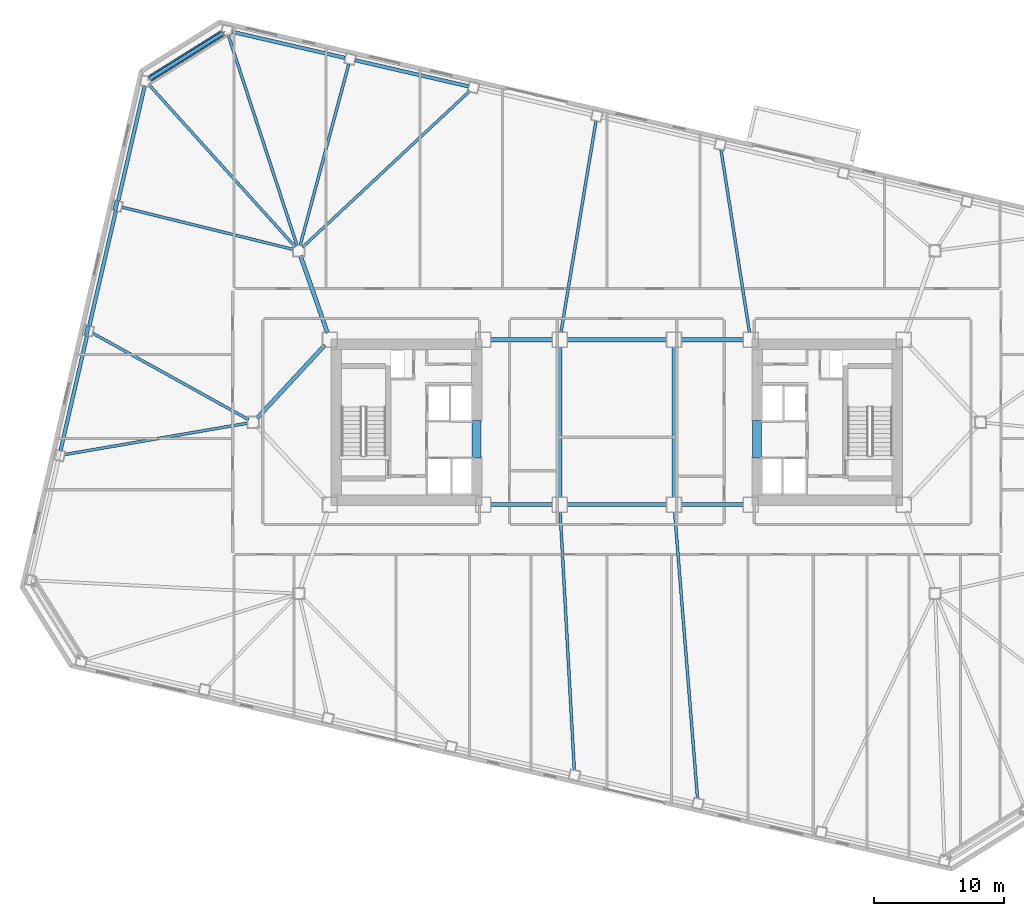
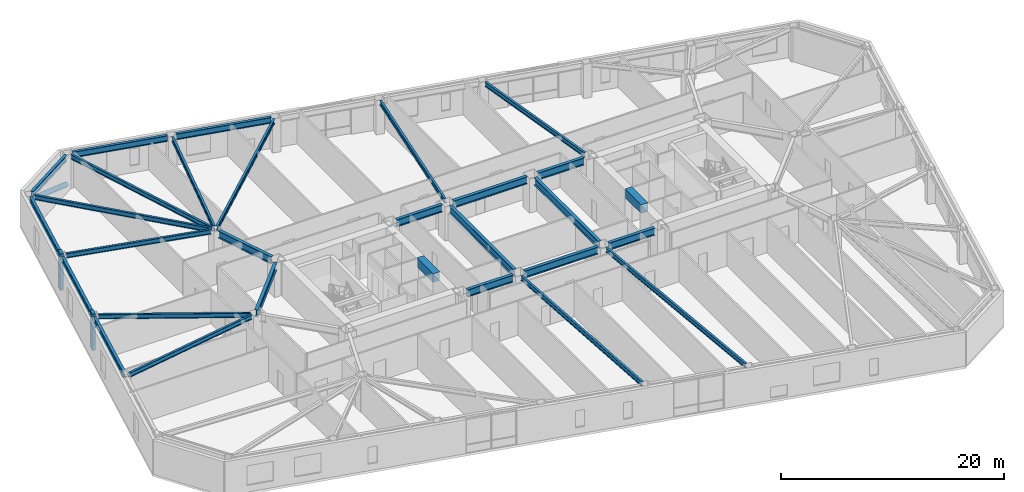
# One storey, part 5 of 19: 29 beams, 3 members.
"""IFC4 building model written with IfcOpenShell, lengths in metres."""

import ifcopenshell
import ifcopenshell.guid

model = None  # the IFC model being written
_history = None  # IfcOwnerHistory: only IFC2X3 demands one
_inside = {}  # id of a spatial element -> (the spatial element, [elements in it])
_under = {}  # id of a project, library or spatial element -> (it, [spatial elements below it])
_declared = {}  # id of a project -> (the project, [libraries it declares])
_typed = {}  # id of a type object -> (the type object, [elements of that type])
_made_of = {}  # id of a material, layer set ... -> (it, [elements and type objects made of it])


def new_model(schema):
    """Start an empty IFC model of exactly this schema.

    Asked for "IFC4X3", IfcOpenShell would pick the latest addendum, in which some entities
    have other attributes; the version numbers below select the first issue.
    IFC2X3 requires an IfcOwnerHistory on every rooted entity: one is made here for all.
    """
    global model, _history
    if schema == "IFC4X3":
        model = ifcopenshell.file(schema_version=(4, 3, 0, 0))
    else:
        model = ifcopenshell.file(schema=schema)
    _inside.clear()
    _under.clear()
    _declared.clear()
    _typed.clear()
    _made_of.clear()
    _history = None
    if model.schema == "IFC2X3":
        org = make("IfcOrganization", Name="unknown")
        user = make(
            "IfcPersonAndOrganization",
            ThePerson=make("IfcPerson", FamilyName="unknown"),
            TheOrganization=org,
        )
        app = make(
            "IfcApplication",
            ApplicationDeveloper=org,
            Version="unknown",
            ApplicationFullName="unknown",
            ApplicationIdentifier="unknown",
        )
        _history = make(
            "IfcOwnerHistory",
            OwningUser=user,
            OwningApplication=app,
            ChangeAction="ADDED",
            CreationDate=0,
        )
    return model


def make(cls, **values):
    """One entity of the class cls with the attributes given. An attribute that is None is left unset."""
    return model.create_entity(
        cls, **{name: value for name, value in values.items() if value is not None}
    )


def rooted(cls, **values):
    """An entity with a GlobalId (a new one), such as an element, a storey or a relation."""
    return make(cls, GlobalId=ifcopenshell.guid.new(), OwnerHistory=_history, **values)


def si_unit(unit_type, name, prefix=None):
    """IfcSIUnit, for example si_unit("LENGTHUNIT", "METRE", prefix="MILLI")."""
    return make("IfcSIUnit", UnitType=unit_type, Prefix=prefix, Name=name)


def assignment(units):
    """IfcUnitAssignment: the units of a project."""
    return None if units is None else make("IfcUnitAssignment", Units=units)


def point(xyz):
    """IfcCartesianPoint."""
    return None if xyz is None else make("IfcCartesianPoint", Coordinates=xyz)


def direction(xyz):
    """IfcDirection."""
    return None if xyz is None else make("IfcDirection", DirectionRatios=xyz)


def frame(location, z_axis=None, x_axis=None):
    """IfcAxis2Placement3D, a coordinate frame: its origin and axes. An axis left out is left unset."""
    return make(
        "IfcAxis2Placement3D",
        Location=point(location),
        Axis=direction(z_axis),
        RefDirection=direction(x_axis),
    )


def frame_2d(location, x_axis=None):
    """IfcAxis2Placement2D, a coordinate frame in the plane: its origin and x axis."""
    return make(
        "IfcAxis2Placement2D", Location=point(location), RefDirection=direction(x_axis)
    )


def origin():
    """The frame at (0, 0, 0) with its axes left unset."""
    return frame((0.0, 0.0, 0.0))


def origin_2d():
    """The frame at (0, 0) in the plane with its x axis left unset."""
    return frame_2d((0.0, 0.0))


def place(relative_to, where):
    """IfcLocalPlacement: puts the frame where relative to a parent placement (None: the world)."""
    return make(
        "IfcLocalPlacement", PlacementRelTo=relative_to, RelativePlacement=where
    )


def context(
    kind, dimensions, precision=None, world=None, true_north=None, identifier=None
):
    """IfcGeometricRepresentationContext, for example the 3D "Model" context."""
    return make(
        "IfcGeometricRepresentationContext",
        ContextIdentifier=identifier,
        ContextType=kind,
        CoordinateSpaceDimension=dimensions,
        Precision=precision,
        WorldCoordinateSystem=world,
        TrueNorth=true_north,
    )


def subcontext(parent, identifier, kind, view, scale=None):
    """IfcGeometricRepresentationSubContext, for example "Body" below "Model"."""
    return make(
        "IfcGeometricRepresentationSubContext",
        ContextIdentifier=identifier,
        ContextType=kind,
        ParentContext=parent,
        TargetScale=scale,
        TargetView=view,
    )


def project(units=None, contexts=None):
    """IfcProject with its units and contexts."""
    return rooted(
        "IfcProject",
        Name="project",
        RepresentationContexts=contexts,
        UnitsInContext=assignment(units),
    )


def spatial(cls, under=None, at=None, **own):
    """A site, building, storey or space (cls), placed at a placement, below another one or the project."""
    s = rooted(cls, ObjectPlacement=at, **own)
    if under is not None:
        _under.setdefault(under.id(), (under, []))[1].append(s)
    return s


def profile(cls, at=None, kind="AREA", **sizes):
    """A parametric profile (cls). Its sizes go by their IFC names, for example OverallWidth=200.0."""
    return make(cls, ProfileType=kind, Position=at, **sizes)


def rectangle(**sizes):
    """IfcRectangleProfileDef."""
    return profile("IfcRectangleProfileDef", **sizes)


def hollow_circle(**sizes):
    """IfcCircleHollowProfileDef."""
    return profile("IfcCircleHollowProfileDef", **sizes)


def i_section(**sizes):
    """IfcIShapeProfileDef."""
    return profile("IfcIShapeProfileDef", **sizes)


def extrude(swept, where, along, depth):
    """IfcExtrudedAreaSolid: the profile swept, set in the frame where, extruded along a direction by depth."""
    return make(
        "IfcExtrudedAreaSolid",
        SweptArea=swept,
        Position=where,
        ExtrudedDirection=direction(along),
        Depth=depth,
    )


def shape(context_of_items, identifier, shape_type, items):
    """IfcShapeRepresentation: the items that make up one representation, for example the "Body"."""
    return make(
        "IfcShapeRepresentation",
        ContextOfItems=context_of_items,
        RepresentationIdentifier=identifier,
        RepresentationType=shape_type,
        Items=items,
    )


def material(Name=None, Category=None):
    """IfcMaterial."""
    return make("IfcMaterial", Name=Name, Category=Category)


def material_profile(
    of_material, cross_section, Name=None, Category=None, Priority=None
):
    """IfcMaterialProfile: a cross section and its material."""
    return make(
        "IfcMaterialProfile",
        Name=Name,
        Material=of_material,
        Profile=cross_section,
        Priority=Priority,
        Category=Category,
    )


def profile_set(profiles, Name=None, composite=None):
    """IfcMaterialProfileSet."""
    return make(
        "IfcMaterialProfileSet",
        Name=Name,
        MaterialProfiles=profiles,
        CompositeProfile=composite,
    )


def made_of(thing, what):
    """Note that an element or type object is made of a material, layer set ...; save() writes the relation."""
    if what is not None:
        _made_of.setdefault(what.id(), (what, []))[1].append(thing)
    return thing


def type_object(cls, material=None, **own):
    """A type object (cls), such as IfcWallType, which elements share."""
    return made_of(rooted(cls, **own), material)


def element(
    cls,
    number,
    at=None,
    inside=None,
    cuts=None,
    type_object=None,
    material=None,
    context=None,
    identifier="Body",
    shape_type=None,
    held_by="IfcProductDefinitionShape",
    body=None,
    shapes=None,
    **own,
):
    """One element of the class cls, such as IfcWall. Its Tag is "e" and its number.

    at: its placement. inside: the storey or other place that contains it. cuts: it is an
    opening in that element (IfcRelVoidsElement). A single representation is given by context,
    identifier, shape_type and body (its items); several are given by shapes. held_by: the class
    of the entity that holds the representations. save() writes the other relations.
    """
    e = rooted(cls, Tag="e%d" % number, ObjectPlacement=at, **own)
    if body is not None:
        shapes = [shape(context, identifier, shape_type, body)]
    if shapes is not None:
        e.Representation = make(held_by, Representations=shapes)
    if inside is not None:
        _inside.setdefault(inside.id(), (inside, []))[1].append(e)
    if cuts is not None:
        rooted(
            "IfcRelVoidsElement", RelatingBuildingElement=cuts, RelatedOpeningElement=e
        )
    if type_object is not None:
        _typed.setdefault(type_object.id(), (type_object, []))[1].append(e)
    return made_of(e, material)


def aggregate(whole, parts):
    """IfcRelAggregates: a whole, such as a stair, and the parts it consists of."""
    return rooted("IfcRelAggregates", RelatingObject=whole, RelatedObjects=parts)


def save(model, path):
    """Write the relations noted so far, then the file.

    IfcRelAggregates (storeys below a building ...), IfcRelContainedInSpatialStructure (elements
    in a storey), IfcRelDefinesByType, IfcRelAssociatesMaterial and IfcRelDeclares: one each for
    every whole, place, type object, material and project.
    """
    for whole, parts in _under.values():
        aggregate(whole, parts)
    for where, things in _inside.values():
        rooted(
            "IfcRelContainedInSpatialStructure",
            RelatedElements=things,
            RelatingStructure=where,
        )
    for kind, things in _typed.values():
        rooted("IfcRelDefinesByType", RelatedObjects=things, RelatingType=kind)
    for what, things in _made_of.values():
        rooted("IfcRelAssociatesMaterial", RelatedObjects=things, RelatingMaterial=what)
    for by, libraries in _declared.values():
        rooted("IfcRelDeclares", RelatingContext=by, RelatedDefinitions=libraries)
    model.write(path)


model = new_model("IFC4")

# Units and contexts
model_context = context("Model", 3, precision=1e-05, world=origin(), true_north=direction((0.0, 1.0)))
body_context = subcontext(model_context, "Body", "Model", "MODEL_VIEW")
ifc_project = project(units=[si_unit("LENGTHUNIT", "METRE"), si_unit("AREAUNIT", "SQUARE_METRE"), si_unit("VOLUMEUNIT", "CUBIC_METRE"), si_unit("PLANEANGLEUNIT", "RADIAN"), si_unit("MASSUNIT", "GRAM", prefix="KILO")], contexts=[model_context])

# Site, building, storey
site_placement = place(None, origin())
site = spatial("IfcSite", under=ifc_project, at=site_placement, CompositionType="ELEMENT")
building_placement = place(site_placement, origin())
building = spatial("IfcBuilding", under=site, at=building_placement, Name="Tavrogorsk Clinical Tower", CompositionType="ELEMENT")
storey_placement = place(building_placement, frame((0.0, 0.0, 75.39990234375)))
storey = spatial("IfcBuildingStorey", under=building, at=storey_placement, Name="L16", CompositionType="ELEMENT", Elevation=75.39990234375)

# Beams
ifc_material_1 = material(Name="Concrete B80", Category="concrete")
ifc_material_profile_1 = material_profile(ifc_material_1, rectangle(XDim=0.699951171875, YDim=0.949951171875, at=origin_2d()), Name="RC-CB-700x950")
ifc_profile_set_1 = profile_set([ifc_material_profile_1], Name="Concrete B80")
beam_type_1 = type_object("IfcBeamType", Name="CouplingBeam_RC700x950", PredefinedType="LINTEL", material=ifc_profile_set_1)
for number, where, z_axis, x_axis, name in (
    (1, (-10.800048828125, -2.75, 3.26513671875), (0.0, 1.0, 0.0), (-1.0, 0.0, 0.0), "L16 Core West Coupling Beam"),
    (2, (10.800048828125, -2.75, 3.26513671875), (0.0, 1.0, 0.0), (-1.0, 0.0, 0.0), "L16 Core East Coupling Beam"),
):
    element("IfcBeam", number, at=place(storey_placement, frame(where, z_axis=z_axis, x_axis=x_axis)), inside=storey, type_object=beam_type_1, Name=name, PredefinedType="LINTEL", context=body_context, shape_type="SweptSolid", body=[
        extrude(rectangle(XDim=0.699951171875, YDim=0.949951171875, at=origin_2d()), origin(), (0.0, 0.0, 1.0), 2.89990234375),
    ])

# Member
ifc_material_2 = material(Name="Structural steel S440", Category="steel")
ifc_material_profile_2 = material_profile(ifc_material_2, hollow_circle(Radius=0.25390625, WallThickness=0.02001953125, at=origin_2d()), Name="CHS-508x20")
ifc_profile_set_2 = profile_set([ifc_material_profile_2], Name="Structural steel S440")
member_type_1 = type_object("IfcMemberType", Name="ExoBrace_CHS508", PredefinedType="BRACE", material=ifc_profile_set_2)
member_placement = place(storey_placement, frame((-30.364013671875, 29.9541015625, 0.442626953125), z_axis=(-0.794678685861, -0.496570017703, 0.349147538667), x_axis=(0.529919005048, -0.848048258113, 0.0)))
element("IfcMember", 3, at=member_placement, inside=storey, type_object=member_type_1, Name="L16 Corner Exoskeleton Brace N8-W1", PredefinedType="BRACE", context=body_context, shape_type="SweptSolid", body=[
    extrude(hollow_circle(Radius=0.25390625, WallThickness=0.02001953125, at=origin_2d()), origin(), (0.0, 0.0, 1.0), 7.03173828125),
])

# Beams
ifc_material_3 = material(Name="Structural steel S355", Category="steel")
ifc_material_profile_3 = material_profile(ifc_material_3, i_section(OverallWidth=0.219970703125, OverallDepth=0.5, WebThickness=0.012939453125, FlangeThickness=0.02001953125, at=origin_2d()), Name="B-500x220x13x20")
ifc_profile_set_3 = profile_set([ifc_material_profile_3], Name="Structural steel S355")
beam_type_2 = type_object("IfcBeamType", Name="FloorBeam_B500", PredefinedType="BEAM", material=ifc_profile_set_3)
beam_1_placement = place(storey_placement, frame((-4.369384765625, -6.9091796875, 3.489990234375), z_axis=(0.054826938013, -0.998495872234, 0.0), x_axis=(0.998495872234, 0.054826938013, 0.0)))
element("IfcBeam", 4, at=beam_1_placement, inside=storey, type_object=beam_type_2, Name="L16 Radial Floor Beam S5", PredefinedType="BEAM", context=body_context, shape_type="SweptSolid", body=[
    extrude(i_section(OverallWidth=0.219970703125, OverallDepth=0.5, WebThickness=0.012939453125, FlangeThickness=0.02001953125, at=origin_2d()), origin(), (0.0, 0.0, 1.0), 19.891357421875),
])
beam_2_placement = place(storey_placement, frame((4.444580078125, -6.908203125, 3.489990234375), z_axis=(0.079775043579, -0.996812892384, 0.0), x_axis=(0.996812892384, 0.079775043579, 0.0)))
element("IfcBeam", 5, at=beam_2_placement, inside=storey, type_object=beam_type_2, Name="L16 Radial Floor Beam S6", PredefinedType="BEAM", context=body_context, shape_type="SweptSolid", body=[
    extrude(i_section(OverallWidth=0.219970703125, OverallDepth=0.5, WebThickness=0.012939453125, FlangeThickness=0.02001953125, at=origin_2d()), origin(), (0.0, 0.0, 1.0), 22.12646484375),
])
beam_3_placement = place(storey_placement, frame((10.213623046875, 6.9033203125, 3.489990234375), z_axis=(-0.154089917001, 0.988056829073, 0.0), x_axis=(-0.988056829073, -0.154089917001, 0.0)))
element("IfcBeam", 6, at=beam_3_placement, inside=storey, type_object=beam_type_2, Name="L16 Radial Floor Beam N4", PredefinedType="BEAM", context=body_context, shape_type="SweptSolid", body=[
    extrude(i_section(OverallWidth=0.219970703125, OverallDepth=0.5, WebThickness=0.012939453125, FlangeThickness=0.02001953125, at=origin_2d()), origin(), (0.0, 0.0, 1.0), 14.24853515625),
])
beam_4_placement = place(storey_placement, frame((-4.308349609375, 6.90234375, 3.489990234375), z_axis=(0.163563683006, 0.986532777763, 0.0), x_axis=(-0.986532777763, 0.163563683006, 0.0)))
element("IfcBeam", 7, at=beam_4_placement, inside=storey, type_object=beam_type_2, Name="L16 Radial Floor Beam N5", PredefinedType="BEAM", context=body_context, shape_type="SweptSolid", body=[
    extrude(i_section(OverallWidth=0.219970703125, OverallDepth=0.5, WebThickness=0.012939453125, FlangeThickness=0.02001953125, at=origin_2d()), origin(), (0.0, 0.0, 1.0), 16.4951171875),
])
beam_5_placement = place(storey_placement, frame((-24.200439453125, 13.47998046875, 3.489990234375), z_axis=(0.730781163302, 0.682611816015, 0.0), x_axis=(-0.682611816015, 0.730781163302, 0.0)))
element("IfcBeam", 8, at=beam_5_placement, inside=storey, type_object=beam_type_2, Name="L16 Radial Floor Beam N6", PredefinedType="BEAM", context=body_context, shape_type="SweptSolid", body=[
    extrude(i_section(OverallWidth=0.219970703125, OverallDepth=0.5, WebThickness=0.012939453125, FlangeThickness=0.02001953125, at=origin_2d()), origin(), (0.0, 0.0, 1.0), 17.597412109375),
])
beam_6_placement = place(storey_placement, frame((-24.393798828125, 13.595947265625, 3.489990234375), z_axis=(0.25900262632, 0.965876617151, 0.0), x_axis=(-0.965876617151, 0.25900262632, 0.0)))
element("IfcBeam", 9, at=beam_6_placement, inside=storey, type_object=beam_type_2, Name="L16 Radial Floor Beam N7", PredefinedType="BEAM", context=body_context, shape_type="SweptSolid", body=[
    extrude(i_section(OverallWidth=0.219970703125, OverallDepth=0.5, WebThickness=0.012939453125, FlangeThickness=0.02001953125, at=origin_2d()), origin(), (0.0, 0.0, 1.0), 14.46728515625),
])
beam_7_placement = place(storey_placement, frame((-24.62744140625, 13.58984375, 3.489990234375), z_axis=(-0.310546210819, 0.950558283824, 0.0), x_axis=(-0.950558283824, -0.310546210819, 0.0)))
element("IfcBeam", 10, at=beam_7_placement, inside=storey, type_object=beam_type_2, Name="L16 Radial Floor Beam N8", PredefinedType="BEAM", context=body_context, shape_type="SweptSolid", body=[
    extrude(i_section(OverallWidth=0.219970703125, OverallDepth=0.5, WebThickness=0.012939453125, FlangeThickness=0.02001953125, at=origin_2d()), origin(), (0.0, 0.0, 1.0), 17.0205078125),
])
beam_8_placement = place(storey_placement, frame((-24.774658203125, 13.50439453125, 3.489990234375), z_axis=(-0.669660294237, 0.742667550337, 0.0), x_axis=(-0.742667550337, -0.669660294237, 0.0)))
element("IfcBeam", 11, at=beam_8_placement, inside=storey, type_object=beam_type_2, Name="L16 Radial Floor Beam W1", PredefinedType="BEAM", context=body_context, shape_type="SweptSolid", body=[
    extrude(i_section(OverallWidth=0.219970703125, OverallDepth=0.5, WebThickness=0.012939453125, FlangeThickness=0.02001953125, at=origin_2d()), origin(), (0.0, 0.0, 1.0), 16.76708984375),
])
beam_9_placement = place(storey_placement, frame((-24.89794921875, 13.298095703125, 3.489990234375), z_axis=(-0.970889910259, 0.23952616174, 0.0), x_axis=(-0.23952616174, -0.970889910259, 0.0)))
element("IfcBeam", 12, at=beam_9_placement, inside=storey, type_object=beam_type_2, Name="L16 Radial Floor Beam W2", PredefinedType="BEAM", context=body_context, shape_type="SweptSolid", body=[
    extrude(i_section(OverallWidth=0.219970703125, OverallDepth=0.5, WebThickness=0.012939453125, FlangeThickness=0.02001953125, at=origin_2d()), origin(), (0.0, 0.0, 1.0), 13.595947265625),
])
beam_10_placement = place(storey_placement, frame((-28.358642578125, 0.19873046875, 3.489990234375), z_axis=(-0.874654711976, 0.484746464472, 0.0), x_axis=(-0.484746464472, -0.874654711976, 0.0)))
element("IfcBeam", 13, at=beam_10_placement, inside=storey, type_object=beam_type_2, Name="L16 Radial Floor Beam W3", PredefinedType="BEAM", context=body_context, shape_type="SweptSolid", body=[
    extrude(i_section(OverallWidth=0.219970703125, OverallDepth=0.5, WebThickness=0.012939453125, FlangeThickness=0.02001953125, at=origin_2d()), origin(), (0.0, 0.0, 1.0), 13.7158203125),
])
beam_11_placement = place(storey_placement, frame((-28.404052734375, -0.0693359375, 3.489990234375), z_axis=(-0.985592408786, -0.169137824698, 0.0), x_axis=(0.169137824698, -0.985592408786, 0.0)))
element("IfcBeam", 14, at=beam_11_placement, inside=storey, type_object=beam_type_2, Name="L16 Radial Floor Beam W4", PredefinedType="BEAM", context=body_context, shape_type="SweptSolid", body=[
    extrude(i_section(OverallWidth=0.219970703125, OverallDepth=0.5, WebThickness=0.012939453125, FlangeThickness=0.02001953125, at=origin_2d()), origin(), (0.0, 0.0, 1.0), 14.33056640625),
])

# Members
ifc_material_4 = material(Name="Precast concrete B45 with limestone cladding", Category="masonry")
ifc_material_profile_4 = material_profile(ifc_material_4, rectangle(XDim=0.320068359375, YDim=0.719970703125, at=origin_2d()), Name="LIMESTONE-FIN-320x720")
ifc_profile_set_4 = profile_set([ifc_material_profile_4], Name="Precast concrete B45 with limestone cladding")
member_type_2 = type_object("IfcMemberType", Name="LimestonePleatFin_320x720", PredefinedType="USERDEFINED", material=ifc_profile_set_4)
for number, where, z_axis, x_axis, name in (
    (15, (-38.572265625, 16.67041015625, 0.0), (0.0, 0.0, 1.0), (0.974370064785, -0.224951054344, 0.0), "L16 W Pleated Stone Fin 1"),
    (16, (-40.7900390625, 7.06298828125, 0.0), (0.0, 0.0, 1.0), (0.974370064785, -0.224951054344, 0.0), "L16 W Pleated Stone Fin 2"),
):
    element("IfcMember", number, at=place(storey_placement, frame(where, z_axis=z_axis, x_axis=x_axis)), inside=storey, type_object=member_type_2, Name=name, ObjectType="FIN", PredefinedType="USERDEFINED", context=body_context, shape_type="SweptSolid", body=[
        extrude(rectangle(XDim=0.320068359375, YDim=0.719970703125, at=origin_2d()), origin(), (0.0, 0.0, 1.0), 4.0),
    ])

# Beams
ifc_material_5 = material(Name="Structural steel S390", Category="steel")
ifc_material_profile_5 = material_profile(ifc_material_5, i_section(OverallWidth=0.320068359375, OverallDepth=0.800048828125, WebThickness=0.02001953125, FlangeThickness=0.033935546875, at=origin_2d()), Name="B-800x320x20x34")
ifc_profile_set_5 = profile_set([ifc_material_profile_5], Name="Structural steel S390")
beam_type_3 = type_object("IfcBeamType", Name="PrimaryGirder_B800", PredefinedType="USERDEFINED", material=ifc_profile_set_5)
for number, where, z_axis, x_axis, name in (
    (17, (-9.739990234375, -6.35009765625, 3.340087890625), (1.0, 0.0, 0.0), (0.0, 1.0, 0.0), "L16 Primary Spine Girder MG-01"),
    (18, (-9.739990234375, 6.35009765625, 3.340087890625), (1.0, 0.0, 0.0), (0.0, 1.0, 0.0), "L16 Primary Spine Girder MG-02"),
):
    element("IfcBeam", number, at=place(storey_placement, frame(where, z_axis=z_axis, x_axis=x_axis)), inside=storey, type_object=beam_type_3, Name=name, ObjectType="GIRDER", PredefinedType="USERDEFINED", context=body_context, shape_type="SweptSolid", body=[
        extrude(i_section(OverallWidth=0.320068359375, OverallDepth=0.800048828125, WebThickness=0.02001953125, FlangeThickness=0.033935546875, at=origin_2d()), origin(), (0.0, 0.0, 1.0), 4.780029296875),
    ])
for number, where, z_axis, x_axis, name in (
    (19, (-3.840087890625, -6.35009765625, 3.340087890625), (1.0, 0.0, 0.0), (0.0, 1.0, 0.0), "L16 Primary Spine Girder MG-03"),
    (20, (-3.840087890625, 6.35009765625, 3.340087890625), (1.0, 0.0, 0.0), (0.0, 1.0, 0.0), "L16 Primary Spine Girder MG-04"),
):
    element("IfcBeam", number, at=place(storey_placement, frame(where, z_axis=z_axis, x_axis=x_axis)), inside=storey, type_object=beam_type_3, Name=name, ObjectType="GIRDER", PredefinedType="USERDEFINED", context=body_context, shape_type="SweptSolid", body=[
        extrude(i_section(OverallWidth=0.320068359375, OverallDepth=0.800048828125, WebThickness=0.02001953125, FlangeThickness=0.033935546875, at=origin_2d()), origin(), (0.0, 0.0, 1.0), 7.68017578125),
    ])
for number, where, z_axis, x_axis, name in (
    (21, (4.9599609375, -6.35009765625, 3.340087890625), (1.0, 0.0, 0.0), (0.0, 1.0, 0.0), "L16 Primary Spine Girder MG-05"),
    (22, (4.9599609375, 6.35009765625, 3.340087890625), (1.0, 0.0, 0.0), (0.0, 1.0, 0.0), "L16 Primary Spine Girder MG-06"),
):
    element("IfcBeam", number, at=place(storey_placement, frame(where, z_axis=z_axis, x_axis=x_axis)), inside=storey, type_object=beam_type_3, Name=name, ObjectType="GIRDER", PredefinedType="USERDEFINED", context=body_context, shape_type="SweptSolid", body=[
        extrude(i_section(OverallWidth=0.320068359375, OverallDepth=0.800048828125, WebThickness=0.02001953125, FlangeThickness=0.033935546875, at=origin_2d()), origin(), (0.0, 0.0, 1.0), 4.780029296875),
    ])
for number, where, z_axis, x_axis, name in (
    (23, (-4.39990234375, -5.7900390625, 3.340087890625), (0.0, 1.0, 0.0), (-1.0, 0.0, 0.0), "L16 Primary Spine Girder MG-07"),
    (24, (4.39990234375, -5.7900390625, 3.340087890625), (0.0, 1.0, 0.0), (-1.0, 0.0, 0.0), "L16 Primary Spine Girder MG-08"),
):
    element("IfcBeam", number, at=place(storey_placement, frame(where, z_axis=z_axis, x_axis=x_axis)), inside=storey, type_object=beam_type_3, Name=name, ObjectType="GIRDER", PredefinedType="USERDEFINED", context=body_context, shape_type="SweptSolid", body=[
        extrude(i_section(OverallWidth=0.320068359375, OverallDepth=0.800048828125, WebThickness=0.02001953125, FlangeThickness=0.033935546875, at=origin_2d()), origin(), (0.0, 0.0, 1.0), 11.580078125),
    ])
beam_12_placement = place(storey_placement, frame((-24.364501953125, 12.81298828125, 3.340087890625), z_axis=(0.330668611543, -0.943746930771, 0.0), x_axis=(0.943746930771, 0.330668611543, 0.0)))
element("IfcBeam", 25, at=beam_12_placement, inside=storey, type_object=beam_type_3, Name="L16 Spine Link Girder OPG-3", ObjectType="GIRDER", PredefinedType="USERDEFINED", context=body_context, shape_type="SweptSolid", body=[
    extrude(i_section(OverallWidth=0.320068359375, OverallDepth=0.800048828125, WebThickness=0.02001953125, FlangeThickness=0.033935546875, at=origin_2d()), origin(), (0.0, 0.0, 1.0), 6.288330078125),
])
beam_13_placement = place(storey_placement, frame((-27.720947265625, 0.30029296875, 3.340087890625), z_axis=(0.680671250221, 0.732589004233, 0.0), x_axis=(-0.732589004233, 0.680671250221, 0.0)))
element("IfcBeam", 26, at=beam_13_placement, inside=storey, type_object=beam_type_3, Name="L16 Spine Link Girder OPG-6", ObjectType="GIRDER", PredefinedType="USERDEFINED", context=body_context, shape_type="SweptSolid", body=[
    extrude(i_section(OverallWidth=0.320068359375, OverallDepth=0.800048828125, WebThickness=0.02001953125, FlangeThickness=0.033935546875, at=origin_2d()), origin(), (0.0, 0.0, 1.0), 7.697998046875),
])
ifc_material_6 = material(Name="Structural steel S390", Category="steel")
ifc_material_profile_6 = material_profile(ifc_material_6, i_section(OverallWidth=0.280029296875, OverallDepth=0.64990234375, WebThickness=0.01611328125, FlangeThickness=0.02490234375, at=origin_2d()), Name="B-650x280x16x25")
ifc_profile_set_6 = profile_set([ifc_material_profile_6], Name="Structural steel S390")
beam_type_4 = type_object("IfcBeamType", Name="SpandrelBeam_B650", PredefinedType="SPANDREL", material=ifc_profile_set_6)
for number, where, z_axis, x_axis, name in (
    (27, (-11.43994140625, 25.862548828125, 3.4150390625), (-0.974372766602, 0.224939351168, 0.0), (-0.224939351168, -0.974372766602, 0.0), "L16 Perimeter Spandrel N6-N7"),
    (28, (-20.9384765625, 28.055419921875, 3.4150390625), (-0.974366775889, 0.224965299645, 0.0), (-0.224965299645, -0.974366775889, 0.0), "L16 Perimeter Spandrel N7-N8"),
):
    element("IfcBeam", number, at=place(storey_placement, frame(where, z_axis=z_axis, x_axis=x_axis)), inside=storey, type_object=beam_type_4, Name=name, PredefinedType="SPANDREL", context=body_context, shape_type="SweptSolid", body=[
        extrude(i_section(OverallWidth=0.280029296875, OverallDepth=0.64990234375, WebThickness=0.01611328125, FlangeThickness=0.02490234375, at=origin_2d()), origin(), (0.0, 0.0, 1.0), 8.9326171875),
    ])
beam_14_placement = place(storey_placement, frame((-30.3857421875, 29.9404296875, 3.4150390625), z_axis=(-0.848044454239, -0.529925092475, 0.0), x_axis=(0.529925092475, -0.848044454239, 0.0)))
element("IfcBeam", 29, at=beam_14_placement, inside=storey, type_object=beam_type_4, Name="L16 Perimeter Spandrel N8-W1", PredefinedType="SPANDREL", context=body_context, shape_type="SweptSolid", body=[
    extrude(i_section(OverallWidth=0.280029296875, OverallDepth=0.64990234375, WebThickness=0.01611328125, FlangeThickness=0.02490234375, at=origin_2d()), origin(), (0.0, 0.0, 1.0), 6.537841796875),
])
beam_15_placement = place(storey_placement, frame((-36.367919921875, 25.862060546875, 3.4150390625), z_axis=(-0.224952169462, -0.974369807339, 0.0), x_axis=(0.974369807339, -0.224952169462, 0.0)))
element("IfcBeam", 30, at=beam_15_placement, inside=storey, type_object=beam_type_4, Name="L16 Perimeter Spandrel W1-W2", PredefinedType="SPANDREL", context=body_context, shape_type="SweptSolid", body=[
    extrude(i_section(OverallWidth=0.280029296875, OverallDepth=0.64990234375, WebThickness=0.01611328125, FlangeThickness=0.02490234375, at=origin_2d()), origin(), (0.0, 0.0, 1.0), 9.043701171875),
])
beam_16_placement = place(storey_placement, frame((-38.5859375, 16.2548828125, 3.4150390625), z_axis=(-0.224946252597, -0.974371173343, 0.0), x_axis=(0.974371173343, -0.224946252597, 0.0)))
element("IfcBeam", 31, at=beam_16_placement, inside=storey, type_object=beam_type_4, Name="L16 Perimeter Spandrel W2-W3", PredefinedType="SPANDREL", context=body_context, shape_type="SweptSolid", body=[
    extrude(i_section(OverallWidth=0.280029296875, OverallDepth=0.64990234375, WebThickness=0.01611328125, FlangeThickness=0.02490234375, at=origin_2d()), origin(), (0.0, 0.0, 1.0), 9.0439453125),
])
beam_17_placement = place(storey_placement, frame((-40.803955078125, 6.6474609375, 3.4150390625), z_axis=(-0.224952169462, -0.974369807339, 0.0), x_axis=(0.974369807339, -0.224952169462, 0.0)))
element("IfcBeam", 32, at=beam_17_placement, inside=storey, type_object=beam_type_4, Name="L16 Perimeter Spandrel W3-W4", PredefinedType="SPANDREL", context=body_context, shape_type="SweptSolid", body=[
    extrude(i_section(OverallWidth=0.280029296875, OverallDepth=0.64990234375, WebThickness=0.01611328125, FlangeThickness=0.02490234375, at=origin_2d()), origin(), (0.0, 0.0, 1.0), 9.043701171875),
])

save(model, "model.ifc")
